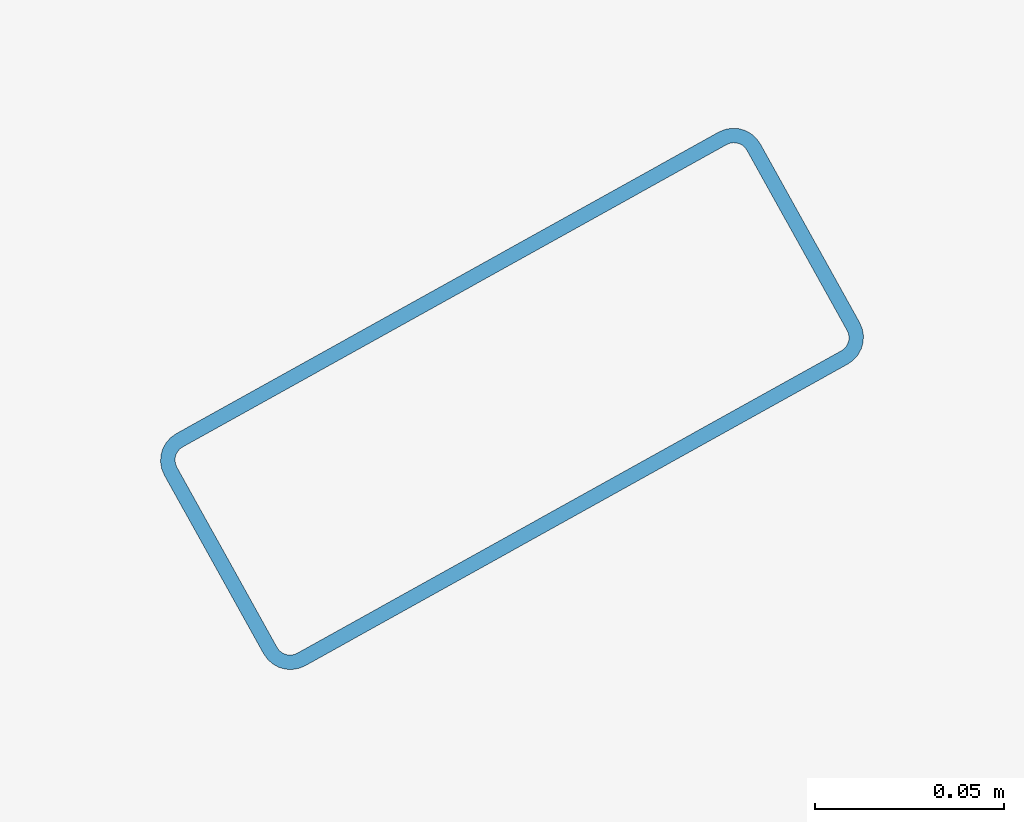
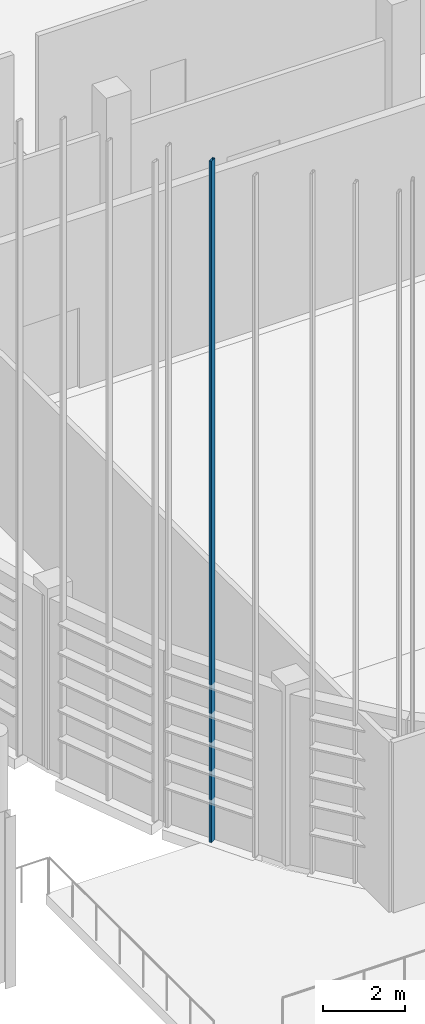
# One storey, part 161 of 372: 1 member.
"""IFC4 building model written with IfcOpenShell, lengths in metres."""

import ifcopenshell
import ifcopenshell.guid

model = None  # the IFC model being written
_history = None  # IfcOwnerHistory: only IFC2X3 demands one
_inside = {}  # id of a spatial element -> (the spatial element, [elements in it])
_under = {}  # id of a project, library or spatial element -> (it, [spatial elements below it])
_declared = {}  # id of a project -> (the project, [libraries it declares])
_typed = {}  # id of a type object -> (the type object, [elements of that type])
_made_of = {}  # id of a material, layer set ... -> (it, [elements and type objects made of it])


def new_model(schema):
    """Start an empty IFC model of exactly this schema.

    Asked for "IFC4X3", IfcOpenShell would pick the latest addendum, in which some entities
    have other attributes; the version numbers below select the first issue.
    IFC2X3 requires an IfcOwnerHistory on every rooted entity: one is made here for all.
    """
    global model, _history
    if schema == "IFC4X3":
        model = ifcopenshell.file(schema_version=(4, 3, 0, 0))
    else:
        model = ifcopenshell.file(schema=schema)
    _inside.clear()
    _under.clear()
    _declared.clear()
    _typed.clear()
    _made_of.clear()
    _history = None
    if model.schema == "IFC2X3":
        org = make("IfcOrganization", Name="unknown")
        user = make(
            "IfcPersonAndOrganization",
            ThePerson=make("IfcPerson", FamilyName="unknown"),
            TheOrganization=org,
        )
        app = make(
            "IfcApplication",
            ApplicationDeveloper=org,
            Version="unknown",
            ApplicationFullName="unknown",
            ApplicationIdentifier="unknown",
        )
        _history = make(
            "IfcOwnerHistory",
            OwningUser=user,
            OwningApplication=app,
            ChangeAction="ADDED",
            CreationDate=0,
        )
    return model


def make(cls, **values):
    """One entity of the class cls with the attributes given. An attribute that is None is left unset."""
    return model.create_entity(
        cls, **{name: value for name, value in values.items() if value is not None}
    )


def rooted(cls, **values):
    """An entity with a GlobalId (a new one), such as an element, a storey or a relation."""
    return make(cls, GlobalId=ifcopenshell.guid.new(), OwnerHistory=_history, **values)


def si_unit(unit_type, name, prefix=None):
    """IfcSIUnit, for example si_unit("LENGTHUNIT", "METRE", prefix="MILLI")."""
    return make("IfcSIUnit", UnitType=unit_type, Prefix=prefix, Name=name)


def assignment(units):
    """IfcUnitAssignment: the units of a project."""
    return None if units is None else make("IfcUnitAssignment", Units=units)


def point(xyz):
    """IfcCartesianPoint."""
    return None if xyz is None else make("IfcCartesianPoint", Coordinates=xyz)


def direction(xyz):
    """IfcDirection."""
    return None if xyz is None else make("IfcDirection", DirectionRatios=xyz)


def frame(location, z_axis=None, x_axis=None):
    """IfcAxis2Placement3D, a coordinate frame: its origin and axes. An axis left out is left unset."""
    return make(
        "IfcAxis2Placement3D",
        Location=point(location),
        Axis=direction(z_axis),
        RefDirection=direction(x_axis),
    )


def frame_2d(location, x_axis=None):
    """IfcAxis2Placement2D, a coordinate frame in the plane: its origin and x axis."""
    return make(
        "IfcAxis2Placement2D", Location=point(location), RefDirection=direction(x_axis)
    )


def origin():
    """The frame at (0, 0, 0) with its axes left unset."""
    return frame((0.0, 0.0, 0.0))


def origin_2d():
    """The frame at (0, 0) in the plane with its x axis left unset."""
    return frame_2d((0.0, 0.0))


def place(relative_to, where):
    """IfcLocalPlacement: puts the frame where relative to a parent placement (None: the world)."""
    return make(
        "IfcLocalPlacement", PlacementRelTo=relative_to, RelativePlacement=where
    )


def context(
    kind, dimensions, precision=None, world=None, true_north=None, identifier=None
):
    """IfcGeometricRepresentationContext, for example the 3D "Model" context."""
    return make(
        "IfcGeometricRepresentationContext",
        ContextIdentifier=identifier,
        ContextType=kind,
        CoordinateSpaceDimension=dimensions,
        Precision=precision,
        WorldCoordinateSystem=world,
        TrueNorth=true_north,
    )


def subcontext(parent, identifier, kind, view, scale=None):
    """IfcGeometricRepresentationSubContext, for example "Body" below "Model"."""
    return make(
        "IfcGeometricRepresentationSubContext",
        ContextIdentifier=identifier,
        ContextType=kind,
        ParentContext=parent,
        TargetScale=scale,
        TargetView=view,
    )


def project(units=None, contexts=None):
    """IfcProject with its units and contexts."""
    return rooted(
        "IfcProject",
        Name="project",
        RepresentationContexts=contexts,
        UnitsInContext=assignment(units),
    )


def spatial(cls, under=None, at=None, **own):
    """A site, building, storey or space (cls), placed at a placement, below another one or the project."""
    s = rooted(cls, ObjectPlacement=at, **own)
    if under is not None:
        _under.setdefault(under.id(), (under, []))[1].append(s)
    return s


def profile(cls, at=None, kind="AREA", **sizes):
    """A parametric profile (cls). Its sizes go by their IFC names, for example OverallWidth=200.0."""
    return make(cls, ProfileType=kind, Position=at, **sizes)


def hollow_rectangle(**sizes):
    """IfcRectangleHollowProfileDef."""
    return profile("IfcRectangleHollowProfileDef", **sizes)


def extrude(swept, where, along, depth):
    """IfcExtrudedAreaSolid: the profile swept, set in the frame where, extruded along a direction by depth."""
    return make(
        "IfcExtrudedAreaSolid",
        SweptArea=swept,
        Position=where,
        ExtrudedDirection=direction(along),
        Depth=depth,
    )


def shape(context_of_items, identifier, shape_type, items):
    """IfcShapeRepresentation: the items that make up one representation, for example the "Body"."""
    return make(
        "IfcShapeRepresentation",
        ContextOfItems=context_of_items,
        RepresentationIdentifier=identifier,
        RepresentationType=shape_type,
        Items=items,
    )


def material(Name=None, Category=None):
    """IfcMaterial."""
    return make("IfcMaterial", Name=Name, Category=Category)


def material_profile(
    of_material, cross_section, Name=None, Category=None, Priority=None
):
    """IfcMaterialProfile: a cross section and its material."""
    return make(
        "IfcMaterialProfile",
        Name=Name,
        Material=of_material,
        Profile=cross_section,
        Priority=Priority,
        Category=Category,
    )


def profile_set(profiles, Name=None, composite=None):
    """IfcMaterialProfileSet."""
    return make(
        "IfcMaterialProfileSet",
        Name=Name,
        MaterialProfiles=profiles,
        CompositeProfile=composite,
    )


def made_of(thing, what):
    """Note that an element or type object is made of a material, layer set ...; save() writes the relation."""
    if what is not None:
        _made_of.setdefault(what.id(), (what, []))[1].append(thing)
    return thing


def type_object(cls, material=None, **own):
    """A type object (cls), such as IfcWallType, which elements share."""
    return made_of(rooted(cls, **own), material)


def element(
    cls,
    number,
    at=None,
    inside=None,
    cuts=None,
    type_object=None,
    material=None,
    context=None,
    identifier="Body",
    shape_type=None,
    held_by="IfcProductDefinitionShape",
    body=None,
    shapes=None,
    **own,
):
    """One element of the class cls, such as IfcWall. Its Tag is "e" and its number.

    at: its placement. inside: the storey or other place that contains it. cuts: it is an
    opening in that element (IfcRelVoidsElement). A single representation is given by context,
    identifier, shape_type and body (its items); several are given by shapes. held_by: the class
    of the entity that holds the representations. save() writes the other relations.
    """
    e = rooted(cls, Tag="e%d" % number, ObjectPlacement=at, **own)
    if body is not None:
        shapes = [shape(context, identifier, shape_type, body)]
    if shapes is not None:
        e.Representation = make(held_by, Representations=shapes)
    if inside is not None:
        _inside.setdefault(inside.id(), (inside, []))[1].append(e)
    if cuts is not None:
        rooted(
            "IfcRelVoidsElement", RelatingBuildingElement=cuts, RelatedOpeningElement=e
        )
    if type_object is not None:
        _typed.setdefault(type_object.id(), (type_object, []))[1].append(e)
    return made_of(e, material)


def aggregate(whole, parts):
    """IfcRelAggregates: a whole, such as a stair, and the parts it consists of."""
    return rooted("IfcRelAggregates", RelatingObject=whole, RelatedObjects=parts)


def save(model, path):
    """Write the relations noted so far, then the file.

    IfcRelAggregates (storeys below a building ...), IfcRelContainedInSpatialStructure (elements
    in a storey), IfcRelDefinesByType, IfcRelAssociatesMaterial and IfcRelDeclares: one each for
    every whole, place, type object, material and project.
    """
    for whole, parts in _under.values():
        aggregate(whole, parts)
    for where, things in _inside.values():
        rooted(
            "IfcRelContainedInSpatialStructure",
            RelatedElements=things,
            RelatingStructure=where,
        )
    for kind, things in _typed.values():
        rooted("IfcRelDefinesByType", RelatedObjects=things, RelatingType=kind)
    for what, things in _made_of.values():
        rooted("IfcRelAssociatesMaterial", RelatedObjects=things, RelatingMaterial=what)
    for by, libraries in _declared.values():
        rooted("IfcRelDeclares", RelatingContext=by, RelatedDefinitions=libraries)
    model.write(path)


model = new_model("IFC4")

# Units and contexts
model_context = context("Model", 3, precision=1e-05, world=origin(), true_north=direction((0.0, 1.0)))
body_context = subcontext(model_context, "Body", "Model", "MODEL_VIEW")
ifc_project = project(units=[si_unit("LENGTHUNIT", "METRE"), si_unit("AREAUNIT", "SQUARE_METRE"), si_unit("VOLUMEUNIT", "CUBIC_METRE"), si_unit("PLANEANGLEUNIT", "RADIAN"), si_unit("MASSUNIT", "GRAM", prefix="KILO")], contexts=[model_context])

# Site, building, storey
site_placement = place(None, origin())
site = spatial("IfcSite", under=ifc_project, at=site_placement, CompositionType="ELEMENT")
building_placement = place(site_placement, origin())
building = spatial("IfcBuilding", under=site, at=building_placement, Name="Kaelora Sail Theatre", CompositionType="ELEMENT")
storey_placement = place(building_placement, origin())
storey = spatial("IfcBuildingStorey", under=building, at=storey_placement, Name="L00", CompositionType="ELEMENT", Elevation=0.0)

# Member
ifc_material = material(Name="Anodised aluminium 6063-T6", Category="aluminium")
ifc_material_profile = material_profile(ifc_material, hollow_rectangle(XDim=0.070068359375, YDim=0.179931640625, WallThickness=0.00390625, InnerFilletRadius=0.00390625, OuterFilletRadius=0.008056640625, at=origin_2d()), Name="ALU-MULL 70x180x4")
ifc_profile_set = profile_set([ifc_material_profile], Name="Anodised aluminium 6063-T6")
member_type = type_object("IfcMemberType", Name="ARC-MEM-PST-160", PredefinedType="POST", material=ifc_profile_set)
member_placement = place(storey_placement, frame((80.500732421875, 38.615966796875, 0.0), z_axis=(0.0, 0.0, 1.0), x_axis=(-0.485877807712, 0.874026747859, 0.0)))
element("IfcMember", 1, at=member_placement, inside=storey, type_object=member_type, Name="Studio Theatre Sail Drum solar louvre vertical support post C15-2", PredefinedType="POST", context=body_context, shape_type="SweptSolid", body=[
    extrude(hollow_rectangle(XDim=0.070068359375, YDim=0.179931640625, WallThickness=0.00390625, InnerFilletRadius=0.00390625, OuterFilletRadius=0.008056640625, at=origin_2d()), origin(), (0.0, 0.0, 1.0), 20.368896484375),
])

save(model, "model.ifc")
